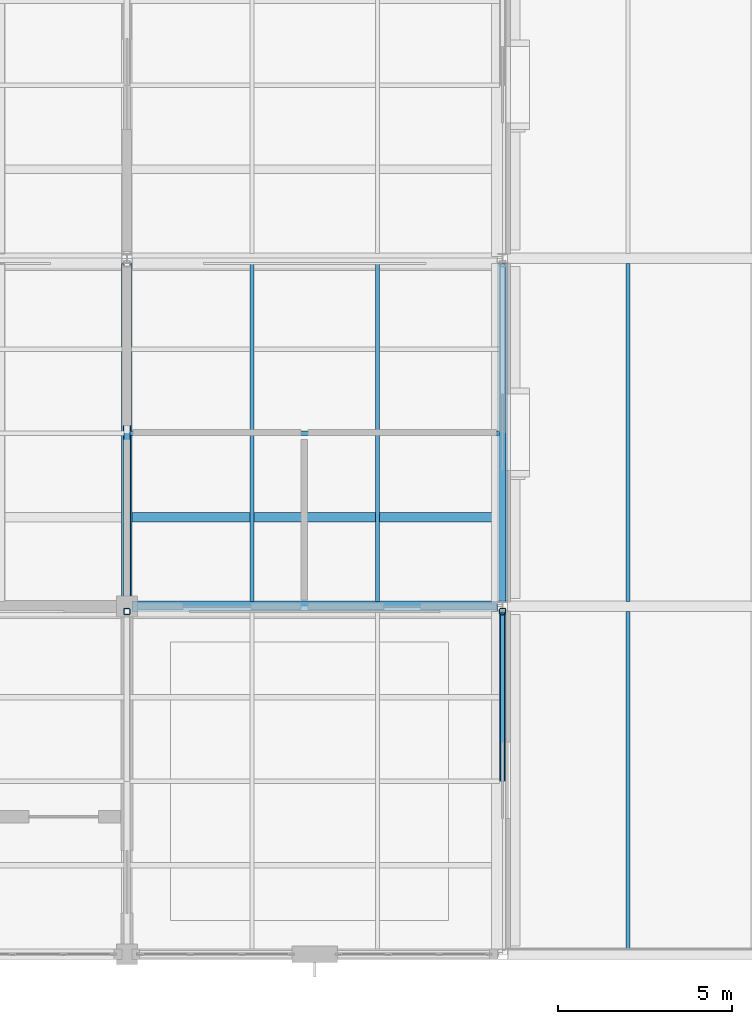
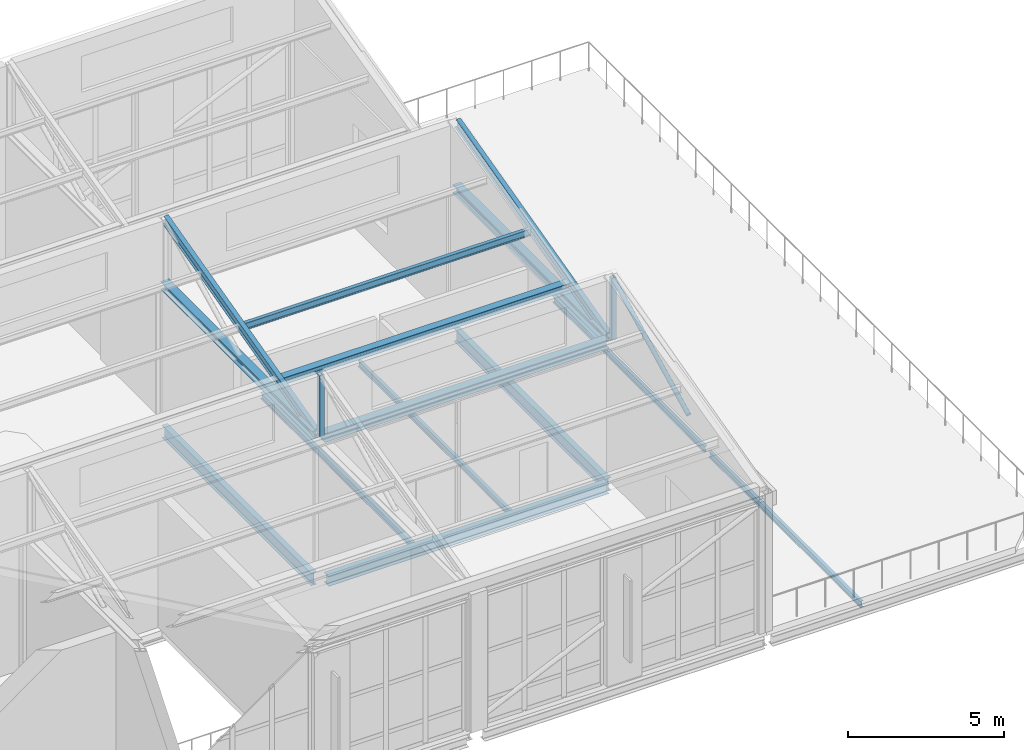
# One storey, part 26 of 49: 9 members, 8 beams.
"""IFC4 building model written with IfcOpenShell, lengths in metres."""

from ifc_helpers import new_model, si_unit, direction, frame, origin, origin_2d, place, context, subcontext, project, spatial, hollow_rectangle, hollow_circle, i_section, extrude, material, material_profile, profile_set, type_object, element, save


model = new_model("IFC4")

# Units and contexts
model_context = context("Model", 3, precision=1e-05, world=origin(), true_north=direction((0.0, 1.0)))
body_context = subcontext(model_context, "Body", "Model", "MODEL_VIEW")
ifc_project = project(units=[si_unit("LENGTHUNIT", "METRE"), si_unit("AREAUNIT", "SQUARE_METRE"), si_unit("VOLUMEUNIT", "CUBIC_METRE"), si_unit("PLANEANGLEUNIT", "RADIAN"), si_unit("MASSUNIT", "GRAM", prefix="KILO")], contexts=[model_context])

# Site, building, storey
site_placement = place(None, origin())
site = spatial("IfcSite", under=ifc_project, at=site_placement, CompositionType="ELEMENT")
building_placement = place(site_placement, origin())
building = spatial("IfcBuilding", under=site, at=building_placement, Name="Tasgan Crest Museum", CompositionType="ELEMENT")
storey_placement = place(building_placement, frame((0.0, 0.0, 28.800048828125)))
storey = spatial("IfcBuildingStorey", under=building, at=storey_placement, Name="L05", CompositionType="ELEMENT", Elevation=28.800048828125)

# Beams
ifc_material_1 = material(Name="Steel S355J2", Category="steel")
ifc_material_profile_1 = material_profile(ifc_material_1, i_section(OverallWidth=0.300048828125, OverallDepth=0.35009765625, WebThickness=0.009521484375, FlangeThickness=0.017578125, FilletRadius=0.027099609375, at=origin_2d()), Name="HEA 360")
ifc_profile_set_1 = profile_set([ifc_material_profile_1], Name="Steel S355J2")
beam_type_1 = type_object("IfcBeamType", Name="BM-G-HEA360", PredefinedType="BEAM", material=ifc_profile_set_1)
beam_1_placement = place(storey_placement, frame((64.949951171875, 92.0, 5.219970703125), z_axis=(1.0, 0.0, 0.0), x_axis=(0.0, 1.0, 0.0)))
element("IfcBeam", 1, at=beam_1_placement, inside=storey, type_object=beam_type_1, Name="Sawtooth valley girder B2 64.8-75.6", PredefinedType="BEAM", context=body_context, shape_type="SweptSolid", body=[
    extrude(i_section(OverallWidth=0.300048828125, OverallDepth=0.35009765625, WebThickness=0.009521484375, FlangeThickness=0.017578125, FilletRadius=0.027099609375, at=origin_2d()), origin(), (0.0, 0.0, 1.0), 10.5),
])
ifc_material_2 = material(Name="Steel S355J2", Category="steel")
ifc_material_profile_2 = material_profile(ifc_material_2, i_section(OverallWidth=0.300048828125, OverallDepth=0.389892578125, WebThickness=0.010986328125, FlangeThickness=0.01904296875, FilletRadius=0.027099609375, at=origin_2d()), Name="HEA 400")
ifc_profile_set_2 = profile_set([ifc_material_profile_2], Name="Steel S355J2")
beam_type_2 = type_object("IfcBeamType", Name="BM-G-HEA400", PredefinedType="BEAM", material=ifc_profile_set_2)
beam_2_placement = place(storey_placement, frame((65.095947265625, 92.0, -0.43505859375), z_axis=(1.0, 0.0, 0.0), x_axis=(0.0, 1.0, 0.0)))
element("IfcBeam", 2, at=beam_2_placement, inside=storey, type_object=beam_type_2, Name="Girder L05 K 64.8-75.6", PredefinedType="BEAM", context=body_context, shape_type="SweptSolid", body=[
    extrude(i_section(OverallWidth=0.300048828125, OverallDepth=0.389892578125, WebThickness=0.010986328125, FlangeThickness=0.01904296875, FilletRadius=0.027099609375, at=origin_2d()), origin(), (0.0, 0.0, 1.0), 10.358154296875),
])
ifc_material_3 = material(Name="Steel S355J2", Category="steel")
ifc_material_profile_3 = material_profile(ifc_material_3, i_section(OverallWidth=0.199951171875, OverallDepth=0.5, WebThickness=0.01025390625, FlangeThickness=0.01611328125, FilletRadius=0.02099609375, at=origin_2d()), Name="IPE 500")
ifc_profile_set_3 = profile_set([ifc_material_profile_3], Name="Steel S355J2")
beam_type_3 = type_object("IfcBeamType", Name="BM-G-IPE500", PredefinedType="BEAM", material=ifc_profile_set_3)
beam_3_placement = place(storey_placement, frame((64.800048828125, 92.294921875, -0.489990234375), z_axis=(0.0, 1.0, 0.0), x_axis=(-1.0, 0.0, 0.0)))
element("IfcBeam", 3, at=beam_3_placement, inside=storey, type_object=beam_type_3, Name="Beam L05 7 92.0-102.0", PredefinedType="BEAM", context=body_context, shape_type="SweptSolid", body=[
    extrude(i_section(OverallWidth=0.199951171875, OverallDepth=0.5, WebThickness=0.01025390625, FlangeThickness=0.01611328125, FilletRadius=0.02099609375, at=origin_2d()), origin(), (0.0, 0.0, 1.0), 9.55517578125),
])
beam_4_placement = place(storey_placement, frame((75.60009765625, 92.14990234375, -0.5), z_axis=(0.0, 1.0, 0.0), x_axis=(-1.0, 0.0, 0.0)))
element("IfcBeam", 4, at=beam_4_placement, inside=storey, type_object=beam_type_3, Name="Beam L05 8 92.0-102.0", PredefinedType="BEAM", context=body_context, shape_type="SweptSolid", body=[
    extrude(i_section(OverallWidth=0.199951171875, OverallDepth=0.5, WebThickness=0.01025390625, FlangeThickness=0.01611328125, FilletRadius=0.02099609375, at=origin_2d()), origin(), (0.0, 0.0, 1.0), 9.7001953125),
])
ifc_material_4 = material(Name="Steel S355J2", Category="steel")
ifc_material_profile_4 = material_profile(ifc_material_4, i_section(OverallWidth=0.1201171875, OverallDepth=0.239990234375, WebThickness=0.006103515625, FlangeThickness=0.009765625, FilletRadius=0.014892578125, at=origin_2d()), Name="IPE 240")
ifc_profile_set_4 = profile_set([ifc_material_profile_4], Name="Steel S355J2")
beam_type_4 = type_object("IfcBeamType", Name="BM-J-IPE240", PredefinedType="JOIST", material=ifc_profile_set_4)
for number, where, z_axis, x_axis, name in (
    (5, (68.39990234375, 92.14501953125, -0.360107421875), (0.0, 1.0, 0.0), (-1.0, 0.0, 0.0), "Secondary joist L05 X=68.4 Y=92.0-102.0"),
    (6, (72.0, 92.14501953125, -0.360107421875), (0.0, 1.0, 0.0), (-1.0, 0.0, 0.0), "Secondary joist L05 X=72.0 Y=92.0-102.0"),
    (7, (79.199951171875, 82.14501953125, -0.3701171875), (0.0, 1.0, 0.0), (-1.0, 0.0, 0.0), "Secondary joist L05 X=79.2 Y=82.0-92.0"),
    (8, (79.199951171875, 92.14501953125, -0.3701171875), (0.0, 1.0, 0.0), (-1.0, 0.0, 0.0), "Secondary joist L05 X=79.2 Y=92.0-102.0"),
):
    element("IfcBeam", number, at=place(storey_placement, frame(where, z_axis=z_axis, x_axis=x_axis)), inside=storey, type_object=beam_type_4, Name=name, PredefinedType="JOIST", context=body_context, shape_type="SweptSolid", body=[
        extrude(i_section(OverallWidth=0.1201171875, OverallDepth=0.239990234375, WebThickness=0.006103515625, FlangeThickness=0.009765625, FilletRadius=0.014892578125, at=origin_2d()), origin(), (0.0, 0.0, 1.0), 9.7099609375),
    ])

# Members
ifc_material_5 = material(Name="Steel S355J2", Category="steel")
ifc_material_profile_5 = material_profile(ifc_material_5, i_section(OverallWidth=0.280029296875, OverallDepth=0.27001953125, WebThickness=0.008056640625, FlangeThickness=0.012939453125, FilletRadius=0.02392578125, at=origin_2d()), Name="HEA 280")
ifc_profile_set_5 = profile_set([ifc_material_profile_5], Name="Steel S355J2")
member_type_1 = type_object("IfcMemberType", Name="MEM-PUR-HEA280", PredefinedType="PURLIN", material=ifc_profile_set_5)
member_1_placement = place(storey_placement, frame((64.885009765625, 94.5625, 5.889892578125), z_axis=(1.0, 0.0, 0.0), x_axis=(0.0, 1.0, 0.0)))
element("IfcMember", 9, at=member_1_placement, inside=storey, type_object=member_type_1, Name="Sawtooth roof purlin B2 64.8-75.6 P1", PredefinedType="PURLIN", context=body_context, shape_type="SweptSolid", body=[
    extrude(i_section(OverallWidth=0.280029296875, OverallDepth=0.27001953125, WebThickness=0.008056640625, FlangeThickness=0.012939453125, FilletRadius=0.02392578125, at=origin_2d()), origin(), (0.0, 0.0, 1.0), 10.6298828125),
])
ifc_material_6 = material(Name="Steel S355J2", Category="steel")
ifc_material_profile_6 = material_profile(ifc_material_6, i_section(OverallWidth=0.135009765625, OverallDepth=0.27001953125, WebThickness=0.006591796875, FlangeThickness=0.01025390625, FilletRadius=0.014892578125, at=origin_2d()), Name="IPE 270")
ifc_profile_set_6 = profile_set([ifc_material_profile_6], Name="Steel S355J2")
member_type_2 = type_object("IfcMemberType", Name="MEM-PURLIN-270", PredefinedType="PURLIN", material=ifc_profile_set_6)
member_2_placement = place(storey_placement, frame((64.885009765625, 96.97509765625, 6.510009765625), z_axis=(1.0, 0.0, 0.0), x_axis=(0.0, 1.0, 0.0)))
element("IfcMember", 10, at=member_2_placement, inside=storey, type_object=member_type_2, Name="Sawtooth roof purlin B2 64.8-75.6 P2", PredefinedType="PURLIN", context=body_context, shape_type="SweptSolid", body=[
    extrude(i_section(OverallWidth=0.135009765625, OverallDepth=0.27001953125, WebThickness=0.006591796875, FlangeThickness=0.01025390625, FilletRadius=0.014892578125, at=origin_2d()), origin(), (0.0, 0.0, 1.0), 10.6298828125),
])
ifc_material_7 = material(Name="Steel S355K2", Category="steel")
ifc_material_profile_7 = material_profile(ifc_material_7, i_section(OverallWidth=0.300048828125, OverallDepth=0.31005859375, WebThickness=0.009033203125, FlangeThickness=0.015380859375, FilletRadius=0.027099609375, at=origin_2d()), Name="HEA 320")
ifc_profile_set_7 = profile_set([ifc_material_profile_7], Name="Steel S355K2")
member_type_3 = type_object("IfcMemberType", Name="TR-SAW-CHORD", PredefinedType="CHORD", material=ifc_profile_set_7)
for number, where, z_axis, x_axis, name in (
    (11, (64.800048828125, 92.14990234375, 5.239990234375), (0.0, 1.0, 0.0), (-1.0, 0.0, 0.0), "Roof truss bottom chord B2 7"),
    (12, (75.60009765625, 92.14990234375, 5.239990234375), (0.0, 1.0, 0.0), (-1.0, 0.0, 0.0), "Roof truss bottom chord B2 8"),
):
    element("IfcMember", number, at=place(storey_placement, frame(where, z_axis=z_axis, x_axis=x_axis)), inside=storey, type_object=member_type_3, Name=name, PredefinedType="CHORD", context=body_context, shape_type="SweptSolid", body=[
        extrude(i_section(OverallWidth=0.300048828125, OverallDepth=0.31005859375, WebThickness=0.009033203125, FlangeThickness=0.015380859375, FilletRadius=0.027099609375, at=origin_2d()), origin(), (0.0, 0.0, 1.0), 9.7001953125),
    ])
ifc_material_8 = material(Name="Steel S355K2", Category="steel")
ifc_material_profile_8 = material_profile(ifc_material_8, hollow_circle(Radius=0.084228515625, WallThickness=0.008056640625, at=origin_2d()), Name="CHS 168.3x8")
ifc_profile_set_8 = profile_set([ifc_material_profile_8], Name="Steel S355K2")
member_type_4 = type_object("IfcMemberType", Name="TR-SAW-DIAG", PredefinedType="BRACE", material=ifc_profile_set_8)
member_3_placement = place(storey_placement, frame((75.60009765625, 87.0, 5.349853515625), z_axis=(0.0, 0.894418092416, 0.447231792205), x_axis=(-1.0, 0.0, 0.0)))
element("IfcMember", 13, at=member_3_placement, inside=storey, type_object=member_type_4, Name="Roof truss diagonal B1 8", PredefinedType="BRACE", context=body_context, shape_type="SweptSolid", body=[
    extrude(hollow_circle(Radius=0.084228515625, WallThickness=0.008056640625, at=origin_2d()), origin(), (0.0, 0.0, 1.0), 5.36669921875),
])
ifc_material_9 = material(Name="Steel S355K2", Category="steel")
ifc_material_profile_9 = material_profile(ifc_material_9, hollow_rectangle(XDim=0.179931640625, YDim=0.179931640625, WallThickness=0.010009765625, InnerFilletRadius=0.010009765625, OuterFilletRadius=0.02001953125, at=origin_2d()), Name="SHS 180x180x10")
ifc_profile_set_9 = profile_set([ifc_material_profile_9], Name="Steel S355K2")
member_type_5 = type_object("IfcMemberType", Name="TR-SAW-POST", PredefinedType="POST", material=ifc_profile_set_9)
for number, where, z_axis, x_axis, name in (
    (14, (64.800048828125, 91.85009765625, 5.389892578125), (0.0, 0.0, 1.0), (1.0, 0.0, 0.0), "Roof truss north post B1 7"),
    (15, (75.60009765625, 91.85009765625, 5.389892578125), (0.0, 0.0, 1.0), (1.0, 0.0, 0.0), "Roof truss north post B1 8"),
):
    element("IfcMember", number, at=place(storey_placement, frame(where, z_axis=z_axis, x_axis=x_axis)), inside=storey, type_object=member_type_5, Name=name, PredefinedType="POST", context=body_context, shape_type="SweptSolid", body=[
        extrude(hollow_rectangle(XDim=0.179931640625, YDim=0.179931640625, WallThickness=0.010009765625, InnerFilletRadius=0.010009765625, OuterFilletRadius=0.02001953125, at=origin_2d()), origin(), (0.0, 0.0, 1.0), 2.41015625),
    ])
ifc_material_10 = material(Name="Steel S355K2", Category="steel")
ifc_material_profile_10 = material_profile(ifc_material_10, i_section(OverallWidth=0.169921875, OverallDepth=0.360107421875, WebThickness=0.008056640625, FlangeThickness=0.0126953125, FilletRadius=0.01806640625, at=origin_2d()), Name="IPE 360")
ifc_profile_set_10 = profile_set([ifc_material_profile_10], Name="Steel S355K2")
member_type_6 = type_object("IfcMemberType", Name="TR-SAW-RAFTER", PredefinedType="RAFTER", material=ifc_profile_set_10)
for number, where, z_axis, x_axis, name in (
    (16, (64.800048828125, 92.14990234375, 5.320068359375), (0.0, 0.968528888954, 0.248901167657), (-1.0, 0.0, 0.0), "Roof truss rafter B2 7"),
    (17, (75.60009765625, 92.14990234375, 5.320068359375), (0.0, 0.968528888954, 0.248901167657), (-1.0, 0.0, 0.0), "Roof truss rafter B2 8"),
):
    element("IfcMember", number, at=place(storey_placement, frame(where, z_axis=z_axis, x_axis=x_axis)), inside=storey, type_object=member_type_6, Name=name, PredefinedType="RAFTER", context=body_context, shape_type="SweptSolid", body=[
        extrude(i_section(OverallWidth=0.169921875, OverallDepth=0.360107421875, WebThickness=0.008056640625, FlangeThickness=0.0126953125, FilletRadius=0.01806640625, at=origin_2d()), origin(), (0.0, 0.0, 1.0), 9.963623046875),
    ])

save(model, "model.ifc")
